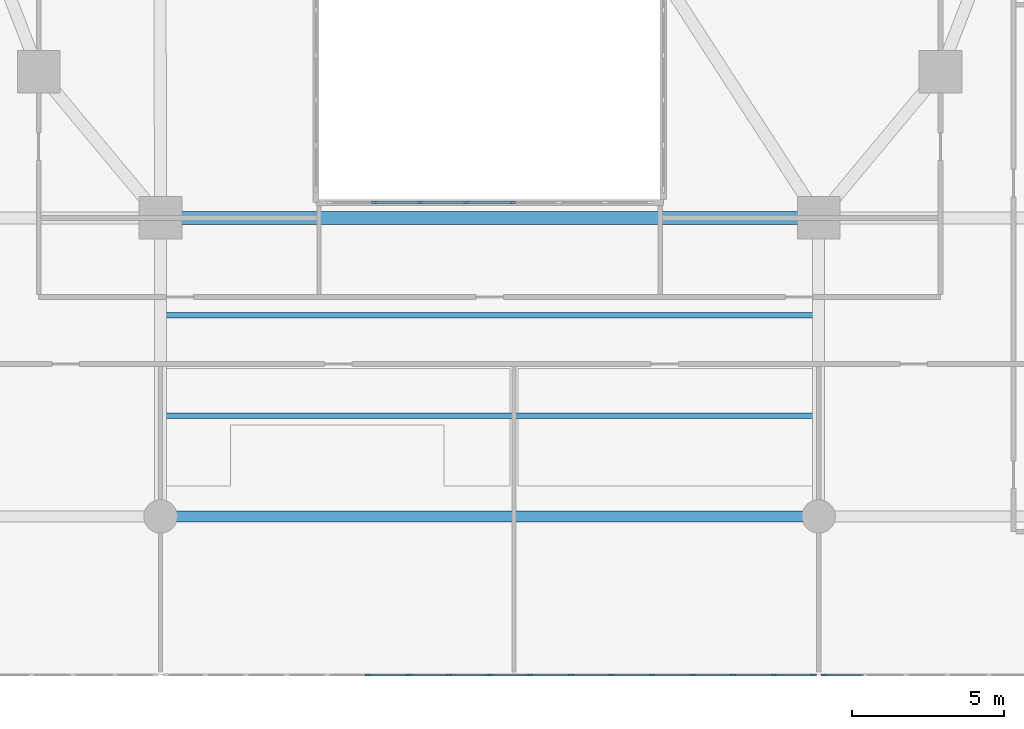
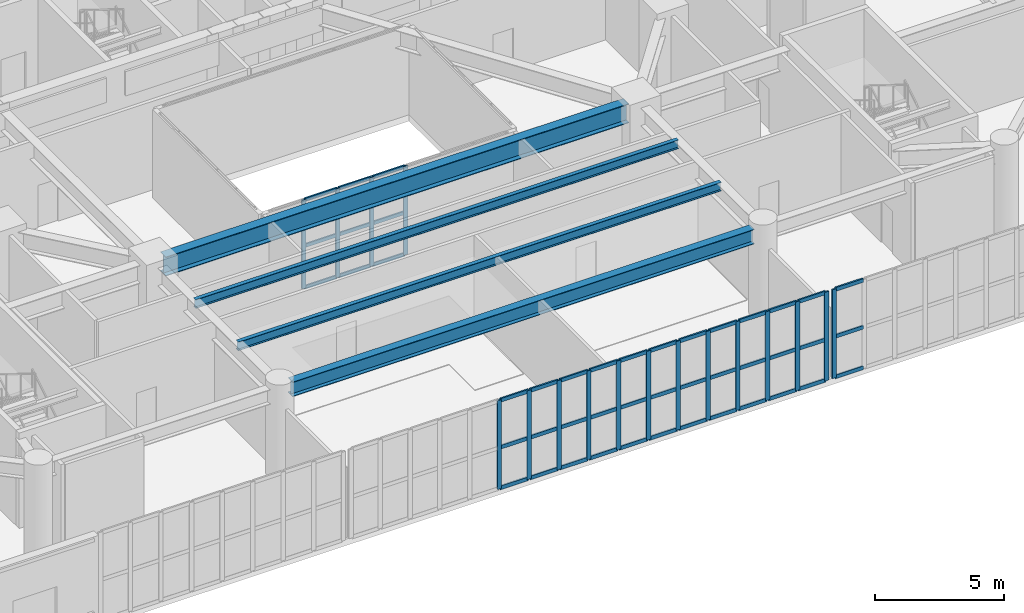
# One storey, part 5 of 25: 62 members, 4 beams, 3 elements without a shape of their own.
"""IFC4 building model written with IfcOpenShell, lengths in metres."""

import ifcopenshell
import ifcopenshell.guid

model = None  # the IFC model being written
_history = None  # IfcOwnerHistory: only IFC2X3 demands one
_inside = {}  # id of a spatial element -> (the spatial element, [elements in it])
_under = {}  # id of a project, library or spatial element -> (it, [spatial elements below it])
_declared = {}  # id of a project -> (the project, [libraries it declares])
_typed = {}  # id of a type object -> (the type object, [elements of that type])
_made_of = {}  # id of a material, layer set ... -> (it, [elements and type objects made of it])


def new_model(schema):
    """Start an empty IFC model of exactly this schema.

    Asked for "IFC4X3", IfcOpenShell would pick the latest addendum, in which some entities
    have other attributes; the version numbers below select the first issue.
    IFC2X3 requires an IfcOwnerHistory on every rooted entity: one is made here for all.
    """
    global model, _history
    if schema == "IFC4X3":
        model = ifcopenshell.file(schema_version=(4, 3, 0, 0))
    else:
        model = ifcopenshell.file(schema=schema)
    _inside.clear()
    _under.clear()
    _declared.clear()
    _typed.clear()
    _made_of.clear()
    _history = None
    if model.schema == "IFC2X3":
        org = make("IfcOrganization", Name="unknown")
        user = make(
            "IfcPersonAndOrganization",
            ThePerson=make("IfcPerson", FamilyName="unknown"),
            TheOrganization=org,
        )
        app = make(
            "IfcApplication",
            ApplicationDeveloper=org,
            Version="unknown",
            ApplicationFullName="unknown",
            ApplicationIdentifier="unknown",
        )
        _history = make(
            "IfcOwnerHistory",
            OwningUser=user,
            OwningApplication=app,
            ChangeAction="ADDED",
            CreationDate=0,
        )
    return model


def make(cls, **values):
    """One entity of the class cls with the attributes given. An attribute that is None is left unset."""
    return model.create_entity(
        cls, **{name: value for name, value in values.items() if value is not None}
    )


def rooted(cls, **values):
    """An entity with a GlobalId (a new one), such as an element, a storey or a relation."""
    return make(cls, GlobalId=ifcopenshell.guid.new(), OwnerHistory=_history, **values)


def si_unit(unit_type, name, prefix=None):
    """IfcSIUnit, for example si_unit("LENGTHUNIT", "METRE", prefix="MILLI")."""
    return make("IfcSIUnit", UnitType=unit_type, Prefix=prefix, Name=name)


def assignment(units):
    """IfcUnitAssignment: the units of a project."""
    return None if units is None else make("IfcUnitAssignment", Units=units)


def point(xyz):
    """IfcCartesianPoint."""
    return None if xyz is None else make("IfcCartesianPoint", Coordinates=xyz)


def direction(xyz):
    """IfcDirection."""
    return None if xyz is None else make("IfcDirection", DirectionRatios=xyz)


def frame(location, z_axis=None, x_axis=None):
    """IfcAxis2Placement3D, a coordinate frame: its origin and axes. An axis left out is left unset."""
    return make(
        "IfcAxis2Placement3D",
        Location=point(location),
        Axis=direction(z_axis),
        RefDirection=direction(x_axis),
    )


def frame_2d(location, x_axis=None):
    """IfcAxis2Placement2D, a coordinate frame in the plane: its origin and x axis."""
    return make(
        "IfcAxis2Placement2D", Location=point(location), RefDirection=direction(x_axis)
    )


def origin():
    """The frame at (0, 0, 0) with its axes left unset."""
    return frame((0.0, 0.0, 0.0))


def origin_2d():
    """The frame at (0, 0) in the plane with its x axis left unset."""
    return frame_2d((0.0, 0.0))


def place(relative_to, where):
    """IfcLocalPlacement: puts the frame where relative to a parent placement (None: the world)."""
    return make(
        "IfcLocalPlacement", PlacementRelTo=relative_to, RelativePlacement=where
    )


def context(
    kind, dimensions, precision=None, world=None, true_north=None, identifier=None
):
    """IfcGeometricRepresentationContext, for example the 3D "Model" context."""
    return make(
        "IfcGeometricRepresentationContext",
        ContextIdentifier=identifier,
        ContextType=kind,
        CoordinateSpaceDimension=dimensions,
        Precision=precision,
        WorldCoordinateSystem=world,
        TrueNorth=true_north,
    )


def subcontext(parent, identifier, kind, view, scale=None):
    """IfcGeometricRepresentationSubContext, for example "Body" below "Model"."""
    return make(
        "IfcGeometricRepresentationSubContext",
        ContextIdentifier=identifier,
        ContextType=kind,
        ParentContext=parent,
        TargetScale=scale,
        TargetView=view,
    )


def project(units=None, contexts=None):
    """IfcProject with its units and contexts."""
    return rooted(
        "IfcProject",
        Name="project",
        RepresentationContexts=contexts,
        UnitsInContext=assignment(units),
    )


def spatial(cls, under=None, at=None, **own):
    """A site, building, storey or space (cls), placed at a placement, below another one or the project."""
    s = rooted(cls, ObjectPlacement=at, **own)
    if under is not None:
        _under.setdefault(under.id(), (under, []))[1].append(s)
    return s


def profile(cls, at=None, kind="AREA", **sizes):
    """A parametric profile (cls). Its sizes go by their IFC names, for example OverallWidth=200.0."""
    return make(cls, ProfileType=kind, Position=at, **sizes)


def rectangle(**sizes):
    """IfcRectangleProfileDef."""
    return profile("IfcRectangleProfileDef", **sizes)


def i_section(**sizes):
    """IfcIShapeProfileDef."""
    return profile("IfcIShapeProfileDef", **sizes)


def extrude(swept, where, along, depth):
    """IfcExtrudedAreaSolid: the profile swept, set in the frame where, extruded along a direction by depth."""
    return make(
        "IfcExtrudedAreaSolid",
        SweptArea=swept,
        Position=where,
        ExtrudedDirection=direction(along),
        Depth=depth,
    )


def shape(context_of_items, identifier, shape_type, items):
    """IfcShapeRepresentation: the items that make up one representation, for example the "Body"."""
    return make(
        "IfcShapeRepresentation",
        ContextOfItems=context_of_items,
        RepresentationIdentifier=identifier,
        RepresentationType=shape_type,
        Items=items,
    )


def material(Name=None, Category=None):
    """IfcMaterial."""
    return make("IfcMaterial", Name=Name, Category=Category)


def material_profile(
    of_material, cross_section, Name=None, Category=None, Priority=None
):
    """IfcMaterialProfile: a cross section and its material."""
    return make(
        "IfcMaterialProfile",
        Name=Name,
        Material=of_material,
        Profile=cross_section,
        Priority=Priority,
        Category=Category,
    )


def profile_set(profiles, Name=None, composite=None):
    """IfcMaterialProfileSet."""
    return make(
        "IfcMaterialProfileSet",
        Name=Name,
        MaterialProfiles=profiles,
        CompositeProfile=composite,
    )


def made_of(thing, what):
    """Note that an element or type object is made of a material, layer set ...; save() writes the relation."""
    if what is not None:
        _made_of.setdefault(what.id(), (what, []))[1].append(thing)
    return thing


def type_object(cls, material=None, **own):
    """A type object (cls), such as IfcWallType, which elements share."""
    return made_of(rooted(cls, **own), material)


def element(
    cls,
    number,
    at=None,
    inside=None,
    cuts=None,
    type_object=None,
    material=None,
    context=None,
    identifier="Body",
    shape_type=None,
    held_by="IfcProductDefinitionShape",
    body=None,
    shapes=None,
    **own,
):
    """One element of the class cls, such as IfcWall. Its Tag is "e" and its number.

    at: its placement. inside: the storey or other place that contains it. cuts: it is an
    opening in that element (IfcRelVoidsElement). A single representation is given by context,
    identifier, shape_type and body (its items); several are given by shapes. held_by: the class
    of the entity that holds the representations. save() writes the other relations.
    """
    e = rooted(cls, Tag="e%d" % number, ObjectPlacement=at, **own)
    if body is not None:
        shapes = [shape(context, identifier, shape_type, body)]
    if shapes is not None:
        e.Representation = make(held_by, Representations=shapes)
    if inside is not None:
        _inside.setdefault(inside.id(), (inside, []))[1].append(e)
    if cuts is not None:
        rooted(
            "IfcRelVoidsElement", RelatingBuildingElement=cuts, RelatedOpeningElement=e
        )
    if type_object is not None:
        _typed.setdefault(type_object.id(), (type_object, []))[1].append(e)
    return made_of(e, material)


def aggregate(whole, parts):
    """IfcRelAggregates: a whole, such as a stair, and the parts it consists of."""
    return rooted("IfcRelAggregates", RelatingObject=whole, RelatedObjects=parts)


def save(model, path):
    """Write the relations noted so far, then the file.

    IfcRelAggregates (storeys below a building ...), IfcRelContainedInSpatialStructure (elements
    in a storey), IfcRelDefinesByType, IfcRelAssociatesMaterial and IfcRelDeclares: one each for
    every whole, place, type object, material and project.
    """
    for whole, parts in _under.values():
        aggregate(whole, parts)
    for where, things in _inside.values():
        rooted(
            "IfcRelContainedInSpatialStructure",
            RelatedElements=things,
            RelatingStructure=where,
        )
    for kind, things in _typed.values():
        rooted("IfcRelDefinesByType", RelatedObjects=things, RelatingType=kind)
    for what, things in _made_of.values():
        rooted("IfcRelAssociatesMaterial", RelatedObjects=things, RelatingMaterial=what)
    for by, libraries in _declared.values():
        rooted("IfcRelDeclares", RelatingContext=by, RelatedDefinitions=libraries)
    model.write(path)


model = new_model("IFC4")

# Units and contexts
model_context = context("Model", 3, precision=1e-05, world=origin(), true_north=direction((0.0, 1.0)))
body_context = subcontext(model_context, "Body", "Model", "MODEL_VIEW")
ifc_project = project(units=[si_unit("LENGTHUNIT", "METRE"), si_unit("AREAUNIT", "SQUARE_METRE"), si_unit("VOLUMEUNIT", "CUBIC_METRE"), si_unit("PLANEANGLEUNIT", "RADIAN"), si_unit("MASSUNIT", "GRAM", prefix="KILO")], contexts=[model_context])

# Site, building, storey
site_placement = place(None, origin())
site = spatial("IfcSite", under=ifc_project, at=site_placement, CompositionType="ELEMENT")
building_placement = place(site_placement, origin())
building = spatial("IfcBuilding", under=site, at=building_placement, Name="Haldorwick Loom Tower", CompositionType="ELEMENT")
storey_placement = place(building_placement, frame((0.0, 0.0, 10.5)))
storey = spatial("IfcBuildingStorey", under=building, at=storey_placement, Name="L02", CompositionType="ELEMENT", Elevation=10.5)

# Curtain wall, members
ifc_material_1 = material(Name="Thermally Broken Anodized Aluminium Curtain Wall Framing", Category="aluminium")
curtain_wall_type_1 = type_object("IfcCurtainWallType", Name="ARC-CW-02", PredefinedType="NOTDEFINED", material=ifc_material_1)
curtain_wall_1_placement = place(storey_placement, origin())
curtain_wall_1 = element("IfcCurtainWall", 1, at=curtain_wall_1_placement, inside=storey, type_object=curtain_wall_type_1, Name="L02 Facade Curtain Wall CW-02 Bay 40", PredefinedType="NOTDEFINED")
ifc_material_profile_1 = material_profile(ifc_material_1, rectangle(XDim=0.070068359375, YDim=0.195068359375, at=origin_2d()), Name="ALU_MUL_70X195", Category="aluminium")
ifc_profile_set_1 = profile_set([ifc_material_profile_1], Name="Thermally Broken Anodized Aluminium Curtain Wall Framing")
member_type_1 = type_object("IfcMemberType", Name="ARC-CWM-02", PredefinedType="MULLION", material=ifc_profile_set_1)
member_1_placement = place(storey_placement, frame((32.00244140625, 0.0, 0.0), z_axis=(0.0, 0.0, 1.0), x_axis=(0.0, 1.0, 0.0)))
member_1 = element("IfcMember", 2, at=member_1_placement, type_object=member_type_1, Name="CW-02 mullion 6", PredefinedType="MULLION", context=body_context, shape_type="SweptSolid", body=[
    extrude(rectangle(XDim=0.070068359375, YDim=0.195068359375, at=origin_2d()), origin(), (0.0, 0.0, 1.0), 4.199951171875),
])
member_2_placement = place(storey_placement, frame((33.3349609375, 0.0, 0.0), z_axis=(0.0, 0.0, 1.0), x_axis=(0.0, 1.0, 0.0)))
member_2 = element("IfcMember", 3, at=member_2_placement, type_object=member_type_1, Name="CW-02 mullion 7", PredefinedType="MULLION", context=body_context, shape_type="SweptSolid", body=[
    extrude(rectangle(XDim=0.070068359375, YDim=0.195068359375, at=origin_2d()), origin(), (0.0, 0.0, 1.0), 4.199951171875),
])
member_3_placement = place(storey_placement, frame((34.66748046875, 0.0, 0.0), z_axis=(0.0, 0.0, 1.0), x_axis=(0.0, 1.0, 0.0)))
member_3 = element("IfcMember", 4, at=member_3_placement, type_object=member_type_1, Name="CW-02 mullion 8", PredefinedType="MULLION", context=body_context, shape_type="SweptSolid", body=[
    extrude(rectangle(XDim=0.070068359375, YDim=0.195068359375, at=origin_2d()), origin(), (0.0, 0.0, 1.0), 4.199951171875),
])
member_4_placement = place(storey_placement, frame((36.0, 0.0, 0.0), z_axis=(0.0, 0.0, 1.0), x_axis=(0.0, 1.0, 0.0)))
member_4 = element("IfcMember", 5, at=member_4_placement, type_object=member_type_1, Name="CW-02 mullion 9", PredefinedType="MULLION", context=body_context, shape_type="SweptSolid", body=[
    extrude(rectangle(XDim=0.070068359375, YDim=0.195068359375, at=origin_2d()), origin(), (0.0, 0.0, 1.0), 4.199951171875),
])
member_5_placement = place(storey_placement, frame((37.33251953125, 0.0, 0.0), z_axis=(0.0, 0.0, 1.0), x_axis=(0.0, 1.0, 0.0)))
member_5 = element("IfcMember", 6, at=member_5_placement, type_object=member_type_1, Name="CW-02 mullion 10", PredefinedType="MULLION", context=body_context, shape_type="SweptSolid", body=[
    extrude(rectangle(XDim=0.070068359375, YDim=0.195068359375, at=origin_2d()), origin(), (0.0, 0.0, 1.0), 4.199951171875),
])
member_6_placement = place(storey_placement, frame((38.6650390625, 0.0, 0.0), z_axis=(0.0, 0.0, 1.0), x_axis=(0.0, 1.0, 0.0)))
member_6 = element("IfcMember", 7, at=member_6_placement, type_object=member_type_1, Name="CW-02 mullion 11", PredefinedType="MULLION", context=body_context, shape_type="SweptSolid", body=[
    extrude(rectangle(XDim=0.070068359375, YDim=0.195068359375, at=origin_2d()), origin(), (0.0, 0.0, 1.0), 4.199951171875),
])
member_7_placement = place(storey_placement, frame((39.99755859375, 0.0, 0.0), z_axis=(0.0, 0.0, 1.0), x_axis=(0.0, 1.0, 0.0)))
member_7 = element("IfcMember", 8, at=member_7_placement, type_object=member_type_1, Name="CW-02 mullion 12", PredefinedType="MULLION", context=body_context, shape_type="SweptSolid", body=[
    extrude(rectangle(XDim=0.070068359375, YDim=0.195068359375, at=origin_2d()), origin(), (0.0, 0.0, 1.0), 4.199951171875),
])
member_8_placement = place(storey_placement, frame((41.330078125, 0.0, 0.0), z_axis=(0.0, 0.0, 1.0), x_axis=(0.0, 1.0, 0.0)))
member_8 = element("IfcMember", 9, at=member_8_placement, type_object=member_type_1, Name="CW-02 mullion 13", PredefinedType="MULLION", context=body_context, shape_type="SweptSolid", body=[
    extrude(rectangle(XDim=0.070068359375, YDim=0.195068359375, at=origin_2d()), origin(), (0.0, 0.0, 1.0), 4.199951171875),
])
member_9_placement = place(storey_placement, frame((42.66259765625, 0.0, 0.0), z_axis=(0.0, 0.0, 1.0), x_axis=(0.0, 1.0, 0.0)))
member_9 = element("IfcMember", 10, at=member_9_placement, type_object=member_type_1, Name="CW-02 mullion 14", PredefinedType="MULLION", context=body_context, shape_type="SweptSolid", body=[
    extrude(rectangle(XDim=0.070068359375, YDim=0.195068359375, at=origin_2d()), origin(), (0.0, 0.0, 1.0), 4.199951171875),
])
member_10_placement = place(storey_placement, frame((43.9951171875, 0.0, 0.0), z_axis=(0.0, 0.0, 1.0), x_axis=(0.0, 1.0, 0.0)))
member_10 = element("IfcMember", 11, at=member_10_placement, type_object=member_type_1, Name="CW-02 mullion 15", PredefinedType="MULLION", context=body_context, shape_type="SweptSolid", body=[
    extrude(rectangle(XDim=0.070068359375, YDim=0.195068359375, at=origin_2d()), origin(), (0.0, 0.0, 1.0), 4.199951171875),
])
member_11_placement = place(storey_placement, frame((45.327392578125, 0.0, 0.0), z_axis=(0.0, 0.0, 1.0), x_axis=(0.0, 1.0, 0.0)))
member_11 = element("IfcMember", 12, at=member_11_placement, type_object=member_type_1, Name="CW-02 mullion 16", PredefinedType="MULLION", context=body_context, shape_type="SweptSolid", body=[
    extrude(rectangle(XDim=0.070068359375, YDim=0.195068359375, at=origin_2d()), origin(), (0.0, 0.0, 1.0), 4.199951171875),
])
member_12_placement = place(storey_placement, frame((46.625, 0.0, 0.0), z_axis=(0.0, 0.0, 1.0), x_axis=(0.0, 1.0, 0.0)))
member_12 = element("IfcMember", 13, at=member_12_placement, type_object=member_type_1, Name="CW-02 mullion 17", PredefinedType="MULLION", context=body_context, shape_type="SweptSolid", body=[
    extrude(rectangle(XDim=0.070068359375, YDim=0.195068359375, at=origin_2d()), origin(), (0.0, 0.0, 1.0), 4.199951171875),
])

# Curtain wall, member
curtain_wall_2_placement = place(storey_placement, origin())
curtain_wall_2 = element("IfcCurtainWall", 14, at=curtain_wall_2_placement, inside=storey, type_object=curtain_wall_type_1, Name="L02 Facade Curtain Wall CW-02 Bay 41", PredefinedType="NOTDEFINED")
member_13_placement = place(storey_placement, frame((46.97509765625, 0.0, 0.0), z_axis=(0.0, 0.0, 1.0), x_axis=(0.0, 1.0, 0.0)))
member_13 = element("IfcMember", 15, at=member_13_placement, type_object=member_type_1, Name="CW-02 mullion 1", PredefinedType="MULLION", context=body_context, shape_type="SweptSolid", body=[
    extrude(rectangle(XDim=0.070068359375, YDim=0.195068359375, at=origin_2d()), origin(), (0.0, 0.0, 1.0), 4.199951171875),
])

# Curtain wall, members
curtain_wall_type_2 = type_object("IfcCurtainWallType", Name="ARC-CW-03", PredefinedType="NOTDEFINED", material=ifc_material_1)
curtain_wall_3_placement = place(storey_placement, origin())
curtain_wall_3 = element("IfcCurtainWall", 16, at=curtain_wall_3_placement, inside=storey, type_object=curtain_wall_type_2, Name="L02 Atrium Glazed Screen S", PredefinedType="NOTDEFINED")
ifc_material_profile_2 = material_profile(ifc_material_1, rectangle(XDim=0.06591796875, YDim=0.18505859375, at=origin_2d()), Name="ALU_MUL_66X185", Category="aluminium")
ifc_profile_set_2 = profile_set([ifc_material_profile_2], Name="Thermally Broken Anodized Aluminium Curtain Wall Framing")
member_type_2 = type_object("IfcMemberType", Name="ARC-CWM-03", PredefinedType="MULLION", material=ifc_profile_set_2)
member_14_placement = place(storey_placement, frame((36.757080078125, 15.5, 0.0), z_axis=(0.0, 0.0, 1.0), x_axis=(0.0, -1.0, 0.0)))
member_14 = element("IfcMember", 17, at=member_14_placement, type_object=member_type_2, Name="CW-03 mullion 4", PredefinedType="MULLION", context=body_context, shape_type="SweptSolid", body=[
    extrude(rectangle(XDim=0.06591796875, YDim=0.18505859375, at=origin_2d()), origin(), (0.0, 0.0, 1.0), 4.199951171875),
])
member_15_placement = place(storey_placement, frame((35.242919921875, 15.5, 0.0), z_axis=(0.0, 0.0, 1.0), x_axis=(0.0, -1.0, 0.0)))
member_15 = element("IfcMember", 18, at=member_15_placement, type_object=member_type_2, Name="CW-03 mullion 5", PredefinedType="MULLION", context=body_context, shape_type="SweptSolid", body=[
    extrude(rectangle(XDim=0.06591796875, YDim=0.18505859375, at=origin_2d()), origin(), (0.0, 0.0, 1.0), 4.199951171875),
])
member_16_placement = place(storey_placement, frame((33.728515625, 15.5, 0.0), z_axis=(0.0, 0.0, 1.0), x_axis=(0.0, -1.0, 0.0)))
member_16 = element("IfcMember", 19, at=member_16_placement, type_object=member_type_2, Name="CW-03 mullion 6", PredefinedType="MULLION", context=body_context, shape_type="SweptSolid", body=[
    extrude(rectangle(XDim=0.06591796875, YDim=0.18505859375, at=origin_2d()), origin(), (0.0, 0.0, 1.0), 4.199951171875),
])
member_17_placement = place(storey_placement, frame((32.21435546875, 15.5, 0.0), z_axis=(0.0, 0.0, 1.0), x_axis=(0.0, -1.0, 0.0)))
member_17 = element("IfcMember", 20, at=member_17_placement, type_object=member_type_2, Name="CW-03 mullion 7", PredefinedType="MULLION", context=body_context, shape_type="SweptSolid", body=[
    extrude(rectangle(XDim=0.06591796875, YDim=0.18505859375, at=origin_2d()), origin(), (0.0, 0.0, 1.0), 4.199951171875),
])

# Member
ifc_material_profile_3 = material_profile(ifc_material_1, rectangle(XDim=0.070068359375, YDim=0.175048828125, at=origin_2d()), Name="ALU_TRN_70X175", Category="aluminium")
ifc_profile_set_3 = profile_set([ifc_material_profile_3], Name="Thermally Broken Anodized Aluminium Curtain Wall Framing")
member_type_3 = type_object("IfcMemberType", Name="ARC-CWT-02", PredefinedType="USERDEFINED", material=ifc_profile_set_3)
member_18_placement = place(storey_placement, frame((32.03759765625, 0.0, 0.034912109375), z_axis=(1.0, 0.0, 0.0), x_axis=(0.0, 1.0, 0.0)))
member_18 = element("IfcMember", 21, at=member_18_placement, type_object=member_type_3, Name="CW-02 transom 6.1", ObjectType="TRANSOM", PredefinedType="USERDEFINED", context=body_context, shape_type="SweptSolid", body=[
    extrude(rectangle(XDim=0.070068359375, YDim=0.175048828125, at=origin_2d()), origin(), (0.0, 0.0, 1.0), 1.262451171875),
])

member_19_placement = place(storey_placement, frame((32.03759765625, 0.0, 1.949951171875), z_axis=(1.0, 0.0, 0.0), x_axis=(0.0, 1.0, 0.0)))
member_19 = element("IfcMember", 22, at=member_19_placement, type_object=member_type_3, Name="CW-02 transom 6.2", ObjectType="TRANSOM", PredefinedType="USERDEFINED", context=body_context, shape_type="SweptSolid", body=[
    extrude(rectangle(XDim=0.070068359375, YDim=0.175048828125, at=origin_2d()), origin(), (0.0, 0.0, 1.0), 1.262451171875),
])

member_20_placement = place(storey_placement, frame((32.03759765625, 0.0, 4.1650390625), z_axis=(1.0, 0.0, 0.0), x_axis=(0.0, 1.0, 0.0)))
member_20 = element("IfcMember", 23, at=member_20_placement, type_object=member_type_3, Name="CW-02 transom 6.3", ObjectType="TRANSOM", PredefinedType="USERDEFINED", context=body_context, shape_type="SweptSolid", body=[
    extrude(rectangle(XDim=0.070068359375, YDim=0.175048828125, at=origin_2d()), origin(), (0.0, 0.0, 1.0), 1.262451171875),
])

member_21_placement = place(storey_placement, frame((33.3701171875, 0.0, 0.034912109375), z_axis=(1.0, 0.0, 0.0), x_axis=(0.0, 1.0, 0.0)))
member_21 = element("IfcMember", 24, at=member_21_placement, type_object=member_type_3, Name="CW-02 transom 7.1", ObjectType="TRANSOM", PredefinedType="USERDEFINED", context=body_context, shape_type="SweptSolid", body=[
    extrude(rectangle(XDim=0.070068359375, YDim=0.175048828125, at=origin_2d()), origin(), (0.0, 0.0, 1.0), 1.262451171875),
])

member_22_placement = place(storey_placement, frame((33.3701171875, 0.0, 1.949951171875), z_axis=(1.0, 0.0, 0.0), x_axis=(0.0, 1.0, 0.0)))
member_22 = element("IfcMember", 25, at=member_22_placement, type_object=member_type_3, Name="CW-02 transom 7.2", ObjectType="TRANSOM", PredefinedType="USERDEFINED", context=body_context, shape_type="SweptSolid", body=[
    extrude(rectangle(XDim=0.070068359375, YDim=0.175048828125, at=origin_2d()), origin(), (0.0, 0.0, 1.0), 1.262451171875),
])

member_23_placement = place(storey_placement, frame((33.3701171875, 0.0, 4.1650390625), z_axis=(1.0, 0.0, 0.0), x_axis=(0.0, 1.0, 0.0)))
member_23 = element("IfcMember", 26, at=member_23_placement, type_object=member_type_3, Name="CW-02 transom 7.3", ObjectType="TRANSOM", PredefinedType="USERDEFINED", context=body_context, shape_type="SweptSolid", body=[
    extrude(rectangle(XDim=0.070068359375, YDim=0.175048828125, at=origin_2d()), origin(), (0.0, 0.0, 1.0), 1.262451171875),
])

member_24_placement = place(storey_placement, frame((34.702392578125, 0.0, 0.034912109375), z_axis=(1.0, 0.0, 0.0), x_axis=(0.0, 1.0, 0.0)))
member_24 = element("IfcMember", 27, at=member_24_placement, type_object=member_type_3, Name="CW-02 transom 8.1", ObjectType="TRANSOM", PredefinedType="USERDEFINED", context=body_context, shape_type="SweptSolid", body=[
    extrude(rectangle(XDim=0.070068359375, YDim=0.175048828125, at=origin_2d()), origin(), (0.0, 0.0, 1.0), 1.2626953125),
])

member_25_placement = place(storey_placement, frame((34.702392578125, 0.0, 1.949951171875), z_axis=(1.0, 0.0, 0.0), x_axis=(0.0, 1.0, 0.0)))
member_25 = element("IfcMember", 28, at=member_25_placement, type_object=member_type_3, Name="CW-02 transom 8.2", ObjectType="TRANSOM", PredefinedType="USERDEFINED", context=body_context, shape_type="SweptSolid", body=[
    extrude(rectangle(XDim=0.070068359375, YDim=0.175048828125, at=origin_2d()), origin(), (0.0, 0.0, 1.0), 1.2626953125),
])

member_26_placement = place(storey_placement, frame((34.702392578125, 0.0, 4.1650390625), z_axis=(1.0, 0.0, 0.0), x_axis=(0.0, 1.0, 0.0)))
member_26 = element("IfcMember", 29, at=member_26_placement, type_object=member_type_3, Name="CW-02 transom 8.3", ObjectType="TRANSOM", PredefinedType="USERDEFINED", context=body_context, shape_type="SweptSolid", body=[
    extrude(rectangle(XDim=0.070068359375, YDim=0.175048828125, at=origin_2d()), origin(), (0.0, 0.0, 1.0), 1.2626953125),
])

member_27_placement = place(storey_placement, frame((36.034912109375, 0.0, 0.034912109375), z_axis=(1.0, 0.0, 0.0), x_axis=(0.0, 1.0, 0.0)))
member_27 = element("IfcMember", 30, at=member_27_placement, type_object=member_type_3, Name="CW-02 transom 9.1", ObjectType="TRANSOM", PredefinedType="USERDEFINED", context=body_context, shape_type="SweptSolid", body=[
    extrude(rectangle(XDim=0.070068359375, YDim=0.175048828125, at=origin_2d()), origin(), (0.0, 0.0, 1.0), 1.2626953125),
])

member_28_placement = place(storey_placement, frame((36.034912109375, 0.0, 1.949951171875), z_axis=(1.0, 0.0, 0.0), x_axis=(0.0, 1.0, 0.0)))
member_28 = element("IfcMember", 31, at=member_28_placement, type_object=member_type_3, Name="CW-02 transom 9.2", ObjectType="TRANSOM", PredefinedType="USERDEFINED", context=body_context, shape_type="SweptSolid", body=[
    extrude(rectangle(XDim=0.070068359375, YDim=0.175048828125, at=origin_2d()), origin(), (0.0, 0.0, 1.0), 1.2626953125),
])

member_29_placement = place(storey_placement, frame((36.034912109375, 0.0, 4.1650390625), z_axis=(1.0, 0.0, 0.0), x_axis=(0.0, 1.0, 0.0)))
member_29 = element("IfcMember", 32, at=member_29_placement, type_object=member_type_3, Name="CW-02 transom 9.3", ObjectType="TRANSOM", PredefinedType="USERDEFINED", context=body_context, shape_type="SweptSolid", body=[
    extrude(rectangle(XDim=0.070068359375, YDim=0.175048828125, at=origin_2d()), origin(), (0.0, 0.0, 1.0), 1.2626953125),
])

member_30_placement = place(storey_placement, frame((37.367431640625, 0.0, 0.034912109375), z_axis=(1.0, 0.0, 0.0), x_axis=(0.0, 1.0, 0.0)))
member_30 = element("IfcMember", 33, at=member_30_placement, type_object=member_type_3, Name="CW-02 transom 10.1", ObjectType="TRANSOM", PredefinedType="USERDEFINED", context=body_context, shape_type="SweptSolid", body=[
    extrude(rectangle(XDim=0.070068359375, YDim=0.175048828125, at=origin_2d()), origin(), (0.0, 0.0, 1.0), 1.262451171875),
])

member_31_placement = place(storey_placement, frame((37.367431640625, 0.0, 1.949951171875), z_axis=(1.0, 0.0, 0.0), x_axis=(0.0, 1.0, 0.0)))
member_31 = element("IfcMember", 34, at=member_31_placement, type_object=member_type_3, Name="CW-02 transom 10.2", ObjectType="TRANSOM", PredefinedType="USERDEFINED", context=body_context, shape_type="SweptSolid", body=[
    extrude(rectangle(XDim=0.070068359375, YDim=0.175048828125, at=origin_2d()), origin(), (0.0, 0.0, 1.0), 1.262451171875),
])

member_32_placement = place(storey_placement, frame((37.367431640625, 0.0, 4.1650390625), z_axis=(1.0, 0.0, 0.0), x_axis=(0.0, 1.0, 0.0)))
member_32 = element("IfcMember", 35, at=member_32_placement, type_object=member_type_3, Name="CW-02 transom 10.3", ObjectType="TRANSOM", PredefinedType="USERDEFINED", context=body_context, shape_type="SweptSolid", body=[
    extrude(rectangle(XDim=0.070068359375, YDim=0.175048828125, at=origin_2d()), origin(), (0.0, 0.0, 1.0), 1.262451171875),
])

member_33_placement = place(storey_placement, frame((38.699951171875, 0.0, 0.034912109375), z_axis=(1.0, 0.0, 0.0), x_axis=(0.0, 1.0, 0.0)))
member_33 = element("IfcMember", 36, at=member_33_placement, type_object=member_type_3, Name="CW-02 transom 11.1", ObjectType="TRANSOM", PredefinedType="USERDEFINED", context=body_context, shape_type="SweptSolid", body=[
    extrude(rectangle(XDim=0.070068359375, YDim=0.175048828125, at=origin_2d()), origin(), (0.0, 0.0, 1.0), 1.262451171875),
])

member_34_placement = place(storey_placement, frame((38.699951171875, 0.0, 1.949951171875), z_axis=(1.0, 0.0, 0.0), x_axis=(0.0, 1.0, 0.0)))
member_34 = element("IfcMember", 37, at=member_34_placement, type_object=member_type_3, Name="CW-02 transom 11.2", ObjectType="TRANSOM", PredefinedType="USERDEFINED", context=body_context, shape_type="SweptSolid", body=[
    extrude(rectangle(XDim=0.070068359375, YDim=0.175048828125, at=origin_2d()), origin(), (0.0, 0.0, 1.0), 1.262451171875),
])

member_35_placement = place(storey_placement, frame((38.699951171875, 0.0, 4.1650390625), z_axis=(1.0, 0.0, 0.0), x_axis=(0.0, 1.0, 0.0)))
member_35 = element("IfcMember", 38, at=member_35_placement, type_object=member_type_3, Name="CW-02 transom 11.3", ObjectType="TRANSOM", PredefinedType="USERDEFINED", context=body_context, shape_type="SweptSolid", body=[
    extrude(rectangle(XDim=0.070068359375, YDim=0.175048828125, at=origin_2d()), origin(), (0.0, 0.0, 1.0), 1.262451171875),
])

member_36_placement = place(storey_placement, frame((40.032470703125, 0.0, 0.034912109375), z_axis=(1.0, 0.0, 0.0), x_axis=(0.0, 1.0, 0.0)))
member_36 = element("IfcMember", 39, at=member_36_placement, type_object=member_type_3, Name="CW-02 transom 12.1", ObjectType="TRANSOM", PredefinedType="USERDEFINED", context=body_context, shape_type="SweptSolid", body=[
    extrude(rectangle(XDim=0.070068359375, YDim=0.175048828125, at=origin_2d()), origin(), (0.0, 0.0, 1.0), 1.262451171875),
])

member_37_placement = place(storey_placement, frame((40.032470703125, 0.0, 1.949951171875), z_axis=(1.0, 0.0, 0.0), x_axis=(0.0, 1.0, 0.0)))
member_37 = element("IfcMember", 40, at=member_37_placement, type_object=member_type_3, Name="CW-02 transom 12.2", ObjectType="TRANSOM", PredefinedType="USERDEFINED", context=body_context, shape_type="SweptSolid", body=[
    extrude(rectangle(XDim=0.070068359375, YDim=0.175048828125, at=origin_2d()), origin(), (0.0, 0.0, 1.0), 1.262451171875),
])

member_38_placement = place(storey_placement, frame((40.032470703125, 0.0, 4.1650390625), z_axis=(1.0, 0.0, 0.0), x_axis=(0.0, 1.0, 0.0)))
member_38 = element("IfcMember", 41, at=member_38_placement, type_object=member_type_3, Name="CW-02 transom 12.3", ObjectType="TRANSOM", PredefinedType="USERDEFINED", context=body_context, shape_type="SweptSolid", body=[
    extrude(rectangle(XDim=0.070068359375, YDim=0.175048828125, at=origin_2d()), origin(), (0.0, 0.0, 1.0), 1.262451171875),
])

member_39_placement = place(storey_placement, frame((41.364990234375, 0.0, 0.034912109375), z_axis=(1.0, 0.0, 0.0), x_axis=(0.0, 1.0, 0.0)))
member_39 = element("IfcMember", 42, at=member_39_placement, type_object=member_type_3, Name="CW-02 transom 13.1", ObjectType="TRANSOM", PredefinedType="USERDEFINED", context=body_context, shape_type="SweptSolid", body=[
    extrude(rectangle(XDim=0.070068359375, YDim=0.175048828125, at=origin_2d()), origin(), (0.0, 0.0, 1.0), 1.262451171875),
])

member_40_placement = place(storey_placement, frame((41.364990234375, 0.0, 1.949951171875), z_axis=(1.0, 0.0, 0.0), x_axis=(0.0, 1.0, 0.0)))
member_40 = element("IfcMember", 43, at=member_40_placement, type_object=member_type_3, Name="CW-02 transom 13.2", ObjectType="TRANSOM", PredefinedType="USERDEFINED", context=body_context, shape_type="SweptSolid", body=[
    extrude(rectangle(XDim=0.070068359375, YDim=0.175048828125, at=origin_2d()), origin(), (0.0, 0.0, 1.0), 1.262451171875),
])

member_41_placement = place(storey_placement, frame((41.364990234375, 0.0, 4.1650390625), z_axis=(1.0, 0.0, 0.0), x_axis=(0.0, 1.0, 0.0)))
member_41 = element("IfcMember", 44, at=member_41_placement, type_object=member_type_3, Name="CW-02 transom 13.3", ObjectType="TRANSOM", PredefinedType="USERDEFINED", context=body_context, shape_type="SweptSolid", body=[
    extrude(rectangle(XDim=0.070068359375, YDim=0.175048828125, at=origin_2d()), origin(), (0.0, 0.0, 1.0), 1.262451171875),
])

member_42_placement = place(storey_placement, frame((42.697509765625, 0.0, 0.034912109375), z_axis=(1.0, 0.0, 0.0), x_axis=(0.0, 1.0, 0.0)))
member_42 = element("IfcMember", 45, at=member_42_placement, type_object=member_type_3, Name="CW-02 transom 14.1", ObjectType="TRANSOM", PredefinedType="USERDEFINED", context=body_context, shape_type="SweptSolid", body=[
    extrude(rectangle(XDim=0.070068359375, YDim=0.175048828125, at=origin_2d()), origin(), (0.0, 0.0, 1.0), 1.262451171875),
])

member_43_placement = place(storey_placement, frame((42.697509765625, 0.0, 1.949951171875), z_axis=(1.0, 0.0, 0.0), x_axis=(0.0, 1.0, 0.0)))
member_43 = element("IfcMember", 46, at=member_43_placement, type_object=member_type_3, Name="CW-02 transom 14.2", ObjectType="TRANSOM", PredefinedType="USERDEFINED", context=body_context, shape_type="SweptSolid", body=[
    extrude(rectangle(XDim=0.070068359375, YDim=0.175048828125, at=origin_2d()), origin(), (0.0, 0.0, 1.0), 1.262451171875),
])

member_44_placement = place(storey_placement, frame((42.697509765625, 0.0, 4.1650390625), z_axis=(1.0, 0.0, 0.0), x_axis=(0.0, 1.0, 0.0)))
member_44 = element("IfcMember", 47, at=member_44_placement, type_object=member_type_3, Name="CW-02 transom 14.3", ObjectType="TRANSOM", PredefinedType="USERDEFINED", context=body_context, shape_type="SweptSolid", body=[
    extrude(rectangle(XDim=0.070068359375, YDim=0.175048828125, at=origin_2d()), origin(), (0.0, 0.0, 1.0), 1.262451171875),
])

member_45_placement = place(storey_placement, frame((44.030029296875, 0.0, 0.034912109375), z_axis=(1.0, 0.0, 0.0), x_axis=(0.0, 1.0, 0.0)))
member_45 = element("IfcMember", 48, at=member_45_placement, type_object=member_type_3, Name="CW-02 transom 15.1", ObjectType="TRANSOM", PredefinedType="USERDEFINED", context=body_context, shape_type="SweptSolid", body=[
    extrude(rectangle(XDim=0.070068359375, YDim=0.175048828125, at=origin_2d()), origin(), (0.0, 0.0, 1.0), 1.262451171875),
])

member_46_placement = place(storey_placement, frame((44.030029296875, 0.0, 1.949951171875), z_axis=(1.0, 0.0, 0.0), x_axis=(0.0, 1.0, 0.0)))
member_46 = element("IfcMember", 49, at=member_46_placement, type_object=member_type_3, Name="CW-02 transom 15.2", ObjectType="TRANSOM", PredefinedType="USERDEFINED", context=body_context, shape_type="SweptSolid", body=[
    extrude(rectangle(XDim=0.070068359375, YDim=0.175048828125, at=origin_2d()), origin(), (0.0, 0.0, 1.0), 1.262451171875),
])

member_47_placement = place(storey_placement, frame((44.030029296875, 0.0, 4.1650390625), z_axis=(1.0, 0.0, 0.0), x_axis=(0.0, 1.0, 0.0)))
member_47 = element("IfcMember", 50, at=member_47_placement, type_object=member_type_3, Name="CW-02 transom 15.3", ObjectType="TRANSOM", PredefinedType="USERDEFINED", context=body_context, shape_type="SweptSolid", body=[
    extrude(rectangle(XDim=0.070068359375, YDim=0.175048828125, at=origin_2d()), origin(), (0.0, 0.0, 1.0), 1.262451171875),
])

member_48_placement = place(storey_placement, frame((45.362548828125, 0.0, 0.034912109375), z_axis=(1.0, 0.0, 0.0), x_axis=(0.0, 1.0, 0.0)))
member_48 = element("IfcMember", 51, at=member_48_placement, type_object=member_type_3, Name="CW-02 transom 16.1", ObjectType="TRANSOM", PredefinedType="USERDEFINED", context=body_context, shape_type="SweptSolid", body=[
    extrude(rectangle(XDim=0.070068359375, YDim=0.175048828125, at=origin_2d()), origin(), (0.0, 0.0, 1.0), 1.2275390625),
])

member_49_placement = place(storey_placement, frame((45.362548828125, 0.0, 1.949951171875), z_axis=(1.0, 0.0, 0.0), x_axis=(0.0, 1.0, 0.0)))
member_49 = element("IfcMember", 52, at=member_49_placement, type_object=member_type_3, Name="CW-02 transom 16.2", ObjectType="TRANSOM", PredefinedType="USERDEFINED", context=body_context, shape_type="SweptSolid", body=[
    extrude(rectangle(XDim=0.070068359375, YDim=0.175048828125, at=origin_2d()), origin(), (0.0, 0.0, 1.0), 1.2275390625),
])

member_50_placement = place(storey_placement, frame((45.362548828125, 0.0, 4.1650390625), z_axis=(1.0, 0.0, 0.0), x_axis=(0.0, 1.0, 0.0)))
member_50 = element("IfcMember", 53, at=member_50_placement, type_object=member_type_3, Name="CW-02 transom 16.3", ObjectType="TRANSOM", PredefinedType="USERDEFINED", context=body_context, shape_type="SweptSolid", body=[
    extrude(rectangle(XDim=0.070068359375, YDim=0.175048828125, at=origin_2d()), origin(), (0.0, 0.0, 1.0), 1.2275390625),
])

aggregate(curtain_wall_1, [member_1, member_2, member_3, member_4, member_5, member_6, member_7, member_8, member_9, member_10, member_11, member_12, member_18, member_19, member_20, member_21, member_22, member_23, member_24, member_25, member_26, member_27, member_28, member_29, member_30, member_31, member_32, member_33, member_34, member_35, member_36, member_37, member_38, member_39, member_40, member_41, member_42, member_43, member_44, member_45, member_46, member_47, member_48, member_49, member_50])

member_51_placement = place(storey_placement, frame((47.010009765625, 0.0, 0.034912109375), z_axis=(1.0, 0.0, 0.0), x_axis=(0.0, 1.0, 0.0)))
member_51 = element("IfcMember", 54, at=member_51_placement, type_object=member_type_3, Name="CW-02 transom 1.1", ObjectType="TRANSOM", PredefinedType="USERDEFINED", context=body_context, shape_type="SweptSolid", body=[
    extrude(rectangle(XDim=0.070068359375, YDim=0.175048828125, at=origin_2d()), origin(), (0.0, 0.0, 1.0), 1.260009765625),
])

member_52_placement = place(storey_placement, frame((47.010009765625, 0.0, 1.949951171875), z_axis=(1.0, 0.0, 0.0), x_axis=(0.0, 1.0, 0.0)))
member_52 = element("IfcMember", 55, at=member_52_placement, type_object=member_type_3, Name="CW-02 transom 1.2", ObjectType="TRANSOM", PredefinedType="USERDEFINED", context=body_context, shape_type="SweptSolid", body=[
    extrude(rectangle(XDim=0.070068359375, YDim=0.175048828125, at=origin_2d()), origin(), (0.0, 0.0, 1.0), 1.260009765625),
])

member_53_placement = place(storey_placement, frame((47.010009765625, 0.0, 4.1650390625), z_axis=(1.0, 0.0, 0.0), x_axis=(0.0, 1.0, 0.0)))
member_53 = element("IfcMember", 56, at=member_53_placement, type_object=member_type_3, Name="CW-02 transom 1.3", ObjectType="TRANSOM", PredefinedType="USERDEFINED", context=body_context, shape_type="SweptSolid", body=[
    extrude(rectangle(XDim=0.070068359375, YDim=0.175048828125, at=origin_2d()), origin(), (0.0, 0.0, 1.0), 1.260009765625),
])

aggregate(curtain_wall_2, [member_13, member_51, member_52, member_53])

ifc_material_profile_4 = material_profile(ifc_material_1, rectangle(XDim=0.06591796875, YDim=0.1650390625, at=origin_2d()), Name="ALU_TRN_66X165", Category="aluminium")
ifc_profile_set_4 = profile_set([ifc_material_profile_4], Name="Thermally Broken Anodized Aluminium Curtain Wall Framing")
member_type_4 = type_object("IfcMemberType", Name="ARC-CWT-03", PredefinedType="USERDEFINED", material=ifc_profile_set_4)
member_54_placement = place(storey_placement, frame((36.72412109375, 15.5, 0.032958984375), z_axis=(-1.0, 0.0, 0.0), x_axis=(0.0, -1.0, 0.0)))
member_54 = element("IfcMember", 57, at=member_54_placement, type_object=member_type_4, Name="CW-03 transom 4.1", ObjectType="TRANSOM", PredefinedType="USERDEFINED", context=body_context, shape_type="SweptSolid", body=[
    extrude(rectangle(XDim=0.06591796875, YDim=0.1650390625, at=origin_2d()), origin(), (0.0, 0.0, 1.0), 1.4482421875),
])

member_55_placement = place(storey_placement, frame((36.72412109375, 15.5, 2.0), z_axis=(-1.0, 0.0, 0.0), x_axis=(0.0, -1.0, 0.0)))
member_55 = element("IfcMember", 58, at=member_55_placement, type_object=member_type_4, Name="CW-03 transom 4.2", ObjectType="TRANSOM", PredefinedType="USERDEFINED", context=body_context, shape_type="SweptSolid", body=[
    extrude(rectangle(XDim=0.06591796875, YDim=0.1650390625, at=origin_2d()), origin(), (0.0, 0.0, 1.0), 1.4482421875),
])

member_56_placement = place(storey_placement, frame((36.72412109375, 15.5, 4.1669921875), z_axis=(-1.0, 0.0, 0.0), x_axis=(0.0, -1.0, 0.0)))
member_56 = element("IfcMember", 59, at=member_56_placement, type_object=member_type_4, Name="CW-03 transom 4.3", ObjectType="TRANSOM", PredefinedType="USERDEFINED", context=body_context, shape_type="SweptSolid", body=[
    extrude(rectangle(XDim=0.06591796875, YDim=0.1650390625, at=origin_2d()), origin(), (0.0, 0.0, 1.0), 1.4482421875),
])

member_57_placement = place(storey_placement, frame((35.2099609375, 15.5, 0.032958984375), z_axis=(-1.0, 0.0, 0.0), x_axis=(0.0, -1.0, 0.0)))
member_57 = element("IfcMember", 60, at=member_57_placement, type_object=member_type_4, Name="CW-03 transom 5.1", ObjectType="TRANSOM", PredefinedType="USERDEFINED", context=body_context, shape_type="SweptSolid", body=[
    extrude(rectangle(XDim=0.06591796875, YDim=0.1650390625, at=origin_2d()), origin(), (0.0, 0.0, 1.0), 1.448486328125),
])

member_58_placement = place(storey_placement, frame((35.2099609375, 15.5, 2.0), z_axis=(-1.0, 0.0, 0.0), x_axis=(0.0, -1.0, 0.0)))
member_58 = element("IfcMember", 61, at=member_58_placement, type_object=member_type_4, Name="CW-03 transom 5.2", ObjectType="TRANSOM", PredefinedType="USERDEFINED", context=body_context, shape_type="SweptSolid", body=[
    extrude(rectangle(XDim=0.06591796875, YDim=0.1650390625, at=origin_2d()), origin(), (0.0, 0.0, 1.0), 1.448486328125),
])

member_59_placement = place(storey_placement, frame((35.2099609375, 15.5, 4.1669921875), z_axis=(-1.0, 0.0, 0.0), x_axis=(0.0, -1.0, 0.0)))
member_59 = element("IfcMember", 62, at=member_59_placement, type_object=member_type_4, Name="CW-03 transom 5.3", ObjectType="TRANSOM", PredefinedType="USERDEFINED", context=body_context, shape_type="SweptSolid", body=[
    extrude(rectangle(XDim=0.06591796875, YDim=0.1650390625, at=origin_2d()), origin(), (0.0, 0.0, 1.0), 1.448486328125),
])

member_60_placement = place(storey_placement, frame((33.695556640625, 15.5, 0.032958984375), z_axis=(-1.0, 0.0, 0.0), x_axis=(0.0, -1.0, 0.0)))
member_60 = element("IfcMember", 63, at=member_60_placement, type_object=member_type_4, Name="CW-03 transom 6.1", ObjectType="TRANSOM", PredefinedType="USERDEFINED", context=body_context, shape_type="SweptSolid", body=[
    extrude(rectangle(XDim=0.06591796875, YDim=0.1650390625, at=origin_2d()), origin(), (0.0, 0.0, 1.0), 1.4482421875),
])

member_61_placement = place(storey_placement, frame((33.695556640625, 15.5, 2.0), z_axis=(-1.0, 0.0, 0.0), x_axis=(0.0, -1.0, 0.0)))
member_61 = element("IfcMember", 64, at=member_61_placement, type_object=member_type_4, Name="CW-03 transom 6.2", ObjectType="TRANSOM", PredefinedType="USERDEFINED", context=body_context, shape_type="SweptSolid", body=[
    extrude(rectangle(XDim=0.06591796875, YDim=0.1650390625, at=origin_2d()), origin(), (0.0, 0.0, 1.0), 1.4482421875),
])

member_62_placement = place(storey_placement, frame((33.695556640625, 15.5, 4.1669921875), z_axis=(-1.0, 0.0, 0.0), x_axis=(0.0, -1.0, 0.0)))
member_62 = element("IfcMember", 65, at=member_62_placement, type_object=member_type_4, Name="CW-03 transom 6.3", ObjectType="TRANSOM", PredefinedType="USERDEFINED", context=body_context, shape_type="SweptSolid", body=[
    extrude(rectangle(XDim=0.06591796875, YDim=0.1650390625, at=origin_2d()), origin(), (0.0, 0.0, 1.0), 1.4482421875),
])

aggregate(curtain_wall_3, [member_14, member_15, member_16, member_17, member_54, member_55, member_56, member_57, member_58, member_59, member_60, member_61, member_62])

# Beams
ifc_material_2 = material(Name="Steel CSA G40.21 350W", Category="steel")
ifc_material_profile_5 = material_profile(ifc_material_2, i_section(OverallWidth=0.179931640625, OverallDepth=0.4130859375, WebThickness=0.009765625, FlangeThickness=0.01611328125, at=origin_2d()), Name="W410X74", Category="steel")
ifc_profile_set_5 = profile_set([ifc_material_profile_5], Name="Steel CSA G40.21 350W")
beam_type_1 = type_object("IfcBeamType", Name="STR-BM-J410", PredefinedType="JOIST", material=ifc_profile_set_5)
for number, where, z_axis, x_axis, name in (
    (66, (25.199951171875, 8.5, 3.993408203125), (1.0, 0.0, 0.0), (0.0, 1.0, 0.0), "L02 Podium Secondary Joist PJ-S1"),
    (67, (25.199951171875, 11.800048828125, 3.993408203125), (1.0, 0.0, 0.0), (0.0, 1.0, 0.0), "L02 Podium Secondary Joist PJ-S2"),
):
    element("IfcBeam", number, at=place(storey_placement, frame(where, z_axis=z_axis, x_axis=x_axis)), inside=storey, type_object=beam_type_1, Name=name, PredefinedType="JOIST", context=body_context, shape_type="SweptSolid", body=[
        extrude(i_section(OverallWidth=0.179931640625, OverallDepth=0.4130859375, WebThickness=0.009765625, FlangeThickness=0.01611328125, at=origin_2d()), origin(), (0.0, 0.0, 1.0), 21.60009765625),
    ])
ifc_material_profile_6 = material_profile(ifc_material_2, i_section(OverallWidth=0.35498046875, OverallDepth=0.695068359375, WebThickness=0.015380859375, FlangeThickness=0.02490234375, at=origin_2d()), Name="W690X217", Category="steel")
ifc_profile_set_6 = profile_set([ifc_material_profile_6], Name="Steel CSA G40.21 350W")
beam_type_2 = type_object("IfcBeamType", Name="STR-BM-SP690", PredefinedType="SPANDREL", material=ifc_profile_set_6)
beam_1_placement = place(storey_placement, frame((25.679931640625, 5.199951171875, 3.8525390625), z_axis=(1.0, 0.0, 0.0), x_axis=(0.0, 1.0, 0.0)))
element("IfcBeam", 68, at=beam_1_placement, inside=storey, type_object=beam_type_2, Name="L02 Podium Spandrel PSP-S3", PredefinedType="SPANDREL", context=body_context, shape_type="SweptSolid", body=[
    extrude(i_section(OverallWidth=0.35498046875, OverallDepth=0.695068359375, WebThickness=0.015380859375, FlangeThickness=0.02490234375, at=origin_2d()), origin(), (0.0, 0.0, 1.0), 20.64013671875),
])
ifc_material_profile_7 = material_profile(ifc_material_2, i_section(OverallWidth=0.41796875, OverallDepth=0.912109375, WebThickness=0.019287109375, FlangeThickness=0.031982421875, at=origin_2d()), Name="W920X342", Category="steel")
ifc_profile_set_7 = profile_set([ifc_material_profile_7], Name="Steel CSA G40.21 350W")
beam_type_3 = type_object("IfcBeamType", Name="STR-BM-W920", PredefinedType="BEAM", material=ifc_profile_set_7)
beam_2_placement = place(storey_placement, frame((25.64990234375, 15.0, 3.743896484375), z_axis=(1.0, 0.0, 0.0), x_axis=(0.0, 1.0, 0.0)))
element("IfcBeam", 69, at=beam_2_placement, inside=storey, type_object=beam_type_3, Name="L02 Podium Primary Girder PG-03", PredefinedType="BEAM", context=body_context, shape_type="SweptSolid", body=[
    extrude(i_section(OverallWidth=0.41796875, OverallDepth=0.912109375, WebThickness=0.019287109375, FlangeThickness=0.031982421875, at=origin_2d()), origin(), (0.0, 0.0, 1.0), 20.7001953125),
])

save(model, "model.ifc")
